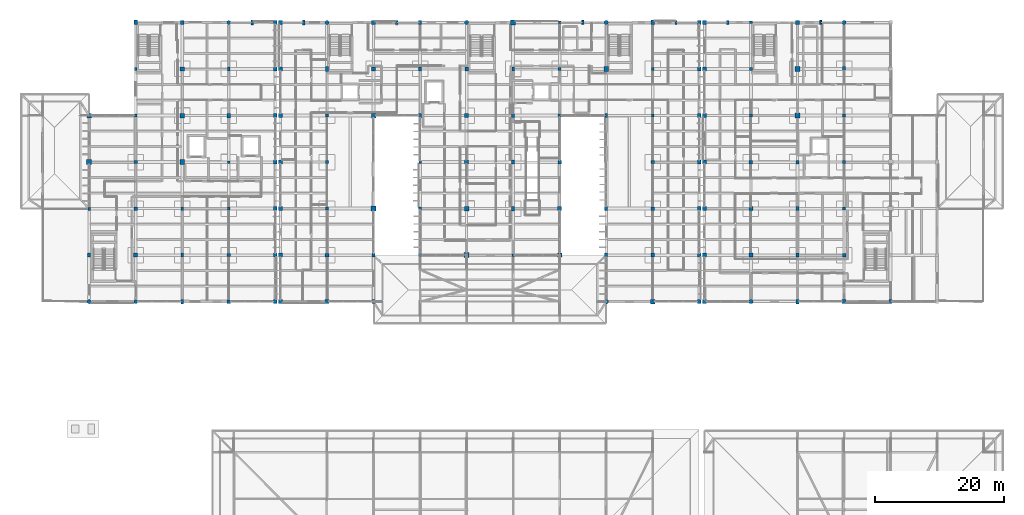
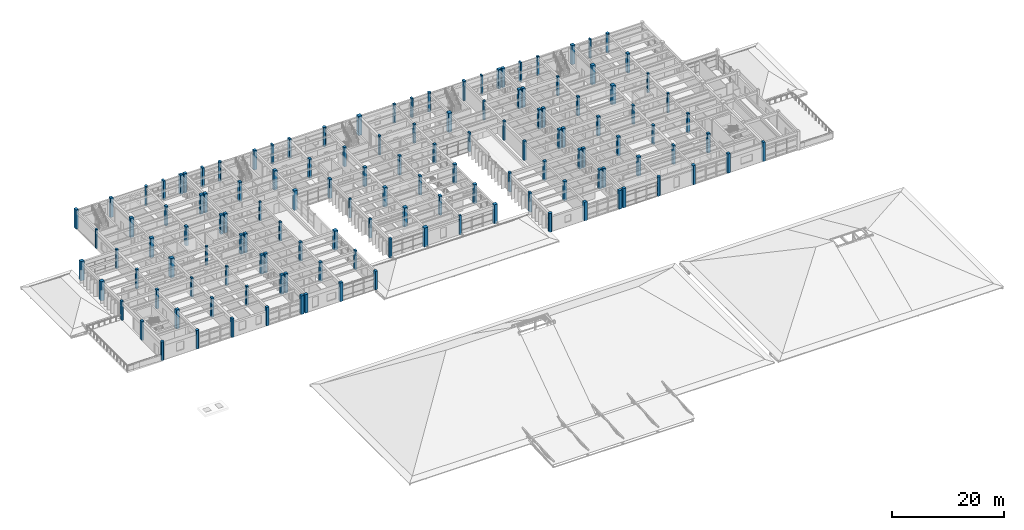
# One storey, part 1 of 100: 133 columns.
"""IFC4 building model written with IfcOpenShell, lengths in metres."""

from ifc_helpers import new_model, si_unit, direction, frame, origin, origin_2d, place, context, subcontext, project, spatial, rectangle, circle, extrude, material, material_profile, profile_set, type_object, element, save


model = new_model("IFC4")

# Units and contexts
model_context = context("Model", 3, precision=1e-05, world=origin(), true_north=direction((0.0, 1.0)))
body_context = subcontext(model_context, "Body", "Model", "MODEL_VIEW")
ifc_project = project(units=[si_unit("LENGTHUNIT", "METRE"), si_unit("AREAUNIT", "SQUARE_METRE"), si_unit("VOLUMEUNIT", "CUBIC_METRE"), si_unit("PLANEANGLEUNIT", "RADIAN"), si_unit("MASSUNIT", "GRAM", prefix="KILO")], contexts=[model_context])

# Site, building, storey
site_placement = place(None, origin())
site = spatial("IfcSite", under=ifc_project, at=site_placement, CompositionType="ELEMENT")
building_placement = place(site_placement, origin())
building = spatial("IfcBuilding", under=site, at=building_placement, Name="Steenspoor Specialist Clinic", CompositionType="ELEMENT")
storey_placement = place(building_placement, frame((0.0, 0.0, 9.0)))
storey = spatial("IfcBuildingStorey", under=building, at=storey_placement, Name="L02", CompositionType="ELEMENT", Elevation=9.0)

# Columns
ifc_material = material(Name="Concrete C40/50", Category="concrete")
ifc_material_profile_1 = material_profile(ifc_material, rectangle(XDim=0.39990234375, YDim=0.39990234375, at=origin_2d()), Name="RC-COL-400X400")
ifc_profile_set_1 = profile_set([ifc_material_profile_1], Name="Concrete C40/50")
column_type_1 = type_object("IfcColumnType", Name="COL-RC-400", PredefinedType="COLUMN", material=ifc_profile_set_1)
for number, where, z_axis, x_axis, name in (
    (1, (59.60009765625, 93.949951171875, 0.0), (0.0, 0.0, 1.0), (1.0, 0.0, 0.0), "Column COL-L02-0224"),
    (2, (74.0, 86.75, 0.0), (0.0, 0.0, 1.0), (1.0, 0.0, 0.0), "Column COL-L02-0284"),
    (3, (88.39990234375, 72.35009765625, 0.0), (0.0, 0.0, 1.0), (1.0, 0.0, 0.0), "Column COL-L02-0347"),
    (4, (95.60009765625, 108.35009765625, 0.0), (0.0, 0.0, 1.0), (1.0, 0.0, 0.0), "Column COL-L02-0413"),
    (5, (110.0, 101.14990234375, 0.0), (0.0, 0.0, 1.0), (1.0, 0.0, 0.0), "Column COL-L02-0469"),
    (6, (30.0, 101.14990234375, 0.0), (0.0, 0.0, 1.0), (1.0, 0.0, 0.0), "Column COL-L02-0556"),
    (7, (44.39990234375, 86.75, 0.0), (0.0, 0.0, 1.0), (1.0, 0.0, 0.0), "Column COL-L02-0602"),
    (8, (125.199951171875, 108.35009765625, 0.0), (0.0, 0.0, 1.0), (1.0, 0.0, 0.0), "Column COL-L02-0708"),
    (9, (139.60009765625, 93.949951171875, 0.0), (0.0, 0.0, 1.0), (1.0, 0.0, 0.0), "Column COL-L02-0766"),
):
    element("IfcColumn", number, at=place(storey_placement, frame(where, z_axis=z_axis, x_axis=x_axis)), inside=storey, type_object=column_type_1, Name=name, PredefinedType="COLUMN", context=body_context, shape_type="SweptSolid", body=[
        extrude(rectangle(XDim=0.39990234375, YDim=0.39990234375, at=origin_2d()), origin(), (0.0, 0.0, 1.0), 4.199951171875),
    ])
ifc_material_profile_2 = material_profile(ifc_material, rectangle(XDim=0.39990234375, YDim=0.550048828125, at=origin_2d()), Name="RC-COL-400X550")
ifc_profile_set_2 = profile_set([ifc_material_profile_2], Name="Concrete C40/50")
column_type_2 = type_object("IfcColumnType", Name="COL-RC-400X550", PredefinedType="COLUMN", material=ifc_profile_set_2)
for number, where, z_axis, x_axis, name in (
    (10, (66.800048828125, 72.35009765625, 0.0), (0.0, 0.0, 1.0), (1.0, 0.0, 0.0), "Column COL-L02-0245"),
    (11, (88.39990234375, 101.14990234375, 0.0), (0.0, 0.0, 1.0), (1.0, 0.0, 0.0), "Column COL-L02-0370"),
    (12, (102.800048828125, 93.949951171875, 0.0), (0.0, 0.0, 1.0), (1.0, 0.0, 0.0), "Column COL-L02-0430"),
    (13, (22.800048828125, 79.550048828125, 0.0), (0.0, 0.0, 1.0), (1.0, 0.0, 0.0), "Column COL-L02-0525"),
    (14, (37.199951171875, 79.550048828125, 0.0), (0.0, 0.0, 1.0), (1.0, 0.0, 0.0), "Column COL-L02-0571"),
    (15, (132.39990234375, 86.75, 0.0), (0.0, 0.0, 1.0), (1.0, 0.0, 0.0), "Column COL-L02-0727"),
):
    element("IfcColumn", number, at=place(storey_placement, frame(where, z_axis=z_axis, x_axis=x_axis)), inside=storey, type_object=column_type_2, Name=name, PredefinedType="COLUMN", context=body_context, shape_type="SweptSolid", body=[
        extrude(rectangle(XDim=0.39990234375, YDim=0.550048828125, at=origin_2d()), origin(), (0.0, 0.0, 1.0), 4.199951171875),
    ])
ifc_material_profile_3 = material_profile(ifc_material, rectangle(XDim=0.449951171875, YDim=0.449951171875, at=origin_2d()), Name="RC-COL-450X450")
ifc_profile_set_3 = profile_set([ifc_material_profile_3], Name="Concrete C40/50")
column_type_3 = type_object("IfcColumnType", Name="COL-RC-450", PredefinedType="COLUMN", material=ifc_profile_set_3)
for number, where, z_axis, x_axis, name in (
    (16, (59.60009765625, 86.75, 0.0), (0.0, 0.0, 1.0), (1.0, 0.0, 0.0), "Column COL-L02-0220"),
    (17, (74.0, 79.550048828125, 0.0), (0.0, 0.0, 1.0), (1.0, 0.0, 0.0), "Column COL-L02-0278"),
    (18, (95.60009765625, 101.14990234375, 0.0), (0.0, 0.0, 1.0), (1.0, 0.0, 0.0), "Column COL-L02-0407"),
    (19, (110.0, 93.949951171875, 0.0), (0.0, 0.0, 1.0), (1.0, 0.0, 0.0), "Column COL-L02-0463"),
    (20, (30.0, 93.949951171875, 0.0), (0.0, 0.0, 1.0), (1.0, 0.0, 0.0), "Column COL-L02-0552"),
    (21, (44.39990234375, 79.550048828125, 0.0), (0.0, 0.0, 1.0), (1.0, 0.0, 0.0), "Column COL-L02-0598"),
    (22, (125.199951171875, 101.14990234375, 0.0), (0.0, 0.0, 1.0), (1.0, 0.0, 0.0), "Column COL-L02-0703"),
    (23, (139.60009765625, 86.75, 0.0), (0.0, 0.0, 1.0), (1.0, 0.0, 0.0), "Column COL-L02-0761"),
):
    element("IfcColumn", number, at=place(storey_placement, frame(where, z_axis=z_axis, x_axis=x_axis)), inside=storey, type_object=column_type_3, Name=name, PredefinedType="COLUMN", context=body_context, shape_type="SweptSolid", body=[
        extrude(rectangle(XDim=0.449951171875, YDim=0.449951171875, at=origin_2d()), origin(), (0.0, 0.0, 1.0), 4.199951171875),
    ])
ifc_material_profile_4 = material_profile(ifc_material, rectangle(XDim=0.449951171875, YDim=0.60009765625, at=origin_2d()), Name="RC-COL-450X600")
ifc_profile_set_4 = profile_set([ifc_material_profile_4], Name="Concrete C40/50")
column_type_4 = type_object("IfcColumnType", Name="COL-RC-450X600", PredefinedType="COLUMN", material=ifc_profile_set_4)
column_1_placement = place(storey_placement, frame((66.800048828125, 65.14990234375, 0.0), z_axis=(0.0, 0.0, 1.0), x_axis=(1.0, 0.0, 0.0)))
element("IfcColumn", 24, at=column_1_placement, inside=storey, type_object=column_type_4, Name="Column COL-L02-0242", PredefinedType="COLUMN", context=body_context, shape_type="SweptSolid", body=[
    extrude(rectangle(XDim=0.449951171875, YDim=0.60009765625, at=origin_2d()), origin(), (0.0, 0.0, 1.0), 4.050048828125),
])
for number, where, z_axis, x_axis, name in (
    (25, (74.0, 108.35009765625, 0.0), (0.0, 0.0, 1.0), (1.0, 0.0, 0.0), "Column COL-L02-0302"),
    (26, (88.39990234375, 93.949951171875, 0.0), (0.0, 0.0, 1.0), (1.0, 0.0, 0.0), "Column COL-L02-0364"),
    (27, (102.800048828125, 79.550048828125, 0.0), (0.0, 0.0, 1.0), (1.0, 0.0, 0.0), "Column COL-L02-0426"),
    (28, (22.800048828125, 72.35009765625, 0.0), (0.0, 0.0, 1.0), (1.0, 0.0, 0.0), "Column COL-L02-0521"),
    (29, (37.199951171875, 72.35009765625, 0.0), (0.0, 0.0, 1.0), (1.0, 0.0, 0.0), "Column COL-L02-0567"),
    (30, (132.39990234375, 79.550048828125, 0.0), (0.0, 0.0, 1.0), (1.0, 0.0, 0.0), "Column COL-L02-0722"),
    (31, (146.800048828125, 65.14990234375, 0.0), (0.0, 0.0, 1.0), (1.0, 0.0, 0.0), "Column COL-L02-0779"),
):
    element("IfcColumn", number, at=place(storey_placement, frame(where, z_axis=z_axis, x_axis=x_axis)), inside=storey, type_object=column_type_4, Name=name, PredefinedType="COLUMN", context=body_context, shape_type="SweptSolid", body=[
        extrude(rectangle(XDim=0.449951171875, YDim=0.60009765625, at=origin_2d()), origin(), (0.0, 0.0, 1.0), 4.199951171875),
    ])
ifc_material_profile_5 = material_profile(ifc_material, rectangle(XDim=0.449951171875, YDim=0.64990234375, at=origin_2d()), Name="RC-COL-450X650")
ifc_profile_set_5 = profile_set([ifc_material_profile_5], Name="Concrete C40/50")
column_type_5 = type_object("IfcColumnType", Name="COL-RC-450X650", PredefinedType="COLUMN", material=ifc_profile_set_5)
for number, where, z_axis, x_axis, name in (
    (32, (74.0, 101.14990234375, 0.0), (0.0, 0.0, 1.0), (1.0, 0.0, 0.0), "Column COL-L02-0296"),
    (33, (88.39990234375, 86.75, 0.0), (0.0, 0.0, 1.0), (1.0, 0.0, 0.0), "Column COL-L02-0358"),
    (34, (102.800048828125, 72.35009765625, 0.0), (0.0, 0.0, 1.0), (1.0, 0.0, 0.0), "Column COL-L02-0422"),
):
    element("IfcColumn", number, at=place(storey_placement, frame(where, z_axis=z_axis, x_axis=x_axis)), inside=storey, type_object=column_type_5, Name=name, PredefinedType="COLUMN", context=body_context, shape_type="SweptSolid", body=[
        extrude(rectangle(XDim=0.449951171875, YDim=0.64990234375, at=origin_2d()), origin(), (0.0, 0.0, 1.0), 4.199951171875),
    ])
column_2_placement = place(storey_placement, frame((37.199951171875, 65.14990234375, 0.0), z_axis=(0.0, 0.0, 1.0), x_axis=(1.0, 0.0, 0.0)))
element("IfcColumn", 35, at=column_2_placement, inside=storey, type_object=column_type_5, Name="Column COL-L02-0564", PredefinedType="COLUMN", context=body_context, shape_type="SweptSolid", body=[
    extrude(rectangle(XDim=0.449951171875, YDim=0.64990234375, at=origin_2d()), origin(), (0.0, 0.0, 1.0), 4.050048828125),
])
for number, where, z_axis, x_axis, name in (
    (36, (44.39990234375, 101.14990234375, 0.0), (0.0, 0.0, 1.0), (1.0, 0.0, 0.0), "Column COL-L02-0610"),
    (37, (132.39990234375, 72.35009765625, 0.0), (0.0, 0.0, 1.0), (1.0, 0.0, 0.0), "Column COL-L02-0717"),
):
    element("IfcColumn", number, at=place(storey_placement, frame(where, z_axis=z_axis, x_axis=x_axis)), inside=storey, type_object=column_type_5, Name=name, PredefinedType="COLUMN", context=body_context, shape_type="SweptSolid", body=[
        extrude(rectangle(XDim=0.449951171875, YDim=0.64990234375, at=origin_2d()), origin(), (0.0, 0.0, 1.0), 4.199951171875),
    ])
ifc_material_profile_6 = material_profile(ifc_material, rectangle(XDim=0.5, YDim=0.5, at=origin_2d()), Name="RC-COL-500X500")
ifc_profile_set_6 = profile_set([ifc_material_profile_6], Name="Concrete C40/50")
column_type_6 = type_object("IfcColumnType", Name="COL-RC-500", PredefinedType="COLUMN", material=ifc_profile_set_6)
for number, where, z_axis, x_axis, name in (
    (38, (59.60009765625, 79.550048828125, 0.0), (0.0, 0.0, 1.0), (1.0, 0.0, 0.0), "Column COL-L02-0216"),
    (39, (74.0, 72.35009765625, 0.0), (0.0, 0.0, 1.0), (1.0, 0.0, 0.0), "Column COL-L02-0273"),
    (40, (95.60009765625, 93.949951171875, 0.0), (0.0, 0.0, 1.0), (1.0, 0.0, 0.0), "Column COL-L02-0401"),
    (41, (110.0, 86.75, 0.0), (0.0, 0.0, 1.0), (1.0, 0.0, 0.0), "Column COL-L02-0459"),
    (42, (30.0, 86.75, 0.0), (0.0, 0.0, 1.0), (1.0, 0.0, 0.0), "Column COL-L02-0548"),
    (43, (44.39990234375, 72.35009765625, 0.0), (0.0, 0.0, 1.0), (1.0, 0.0, 0.0), "Column COL-L02-0594"),
    (44, (125.199951171875, 93.949951171875, 0.0), (0.0, 0.0, 1.0), (1.0, 0.0, 0.0), "Column COL-L02-0698"),
    (45, (139.60009765625, 79.550048828125, 0.0), (0.0, 0.0, 1.0), (1.0, 0.0, 0.0), "Column COL-L02-0756"),
):
    element("IfcColumn", number, at=place(storey_placement, frame(where, z_axis=z_axis, x_axis=x_axis)), inside=storey, type_object=column_type_6, Name=name, PredefinedType="COLUMN", context=body_context, shape_type="SweptSolid", body=[
        extrude(rectangle(XDim=0.5, YDim=0.5, at=origin_2d()), origin(), (0.0, 0.0, 1.0), 4.199951171875),
    ])
ifc_material_profile_7 = material_profile(ifc_material, rectangle(XDim=0.5, YDim=0.699951171875, at=origin_2d()), Name="RC-COL-500X700")
ifc_profile_set_7 = profile_set([ifc_material_profile_7], Name="Concrete C40/50")
column_type_7 = type_object("IfcColumnType", Name="COL-RC-500X700", PredefinedType="COLUMN", material=ifc_profile_set_7)
for number, where, z_axis, x_axis, name in (
    (46, (59.60009765625, 101.14990234375, 0.0), (0.0, 0.0, 1.0), (1.0, 0.0, 0.0), "Column COL-L02-0230"),
    (47, (74.0, 93.949951171875, 0.0), (0.0, 0.0, 1.0), (1.0, 0.0, 0.0), "Column COL-L02-0290"),
    (48, (88.39990234375, 79.550048828125, 0.0), (0.0, 0.0, 1.0), (1.0, 0.0, 0.0), "Column COL-L02-0352"),
    (49, (110.0, 108.35009765625, 0.0), (0.0, 0.0, 1.0), (1.0, 0.0, 0.0), "Column COL-L02-0475"),
    (50, (30.0, 108.35009765625, 0.0), (0.0, 0.0, 1.0), (1.0, 0.0, 0.0), "Column COL-L02-0560"),
    (51, (44.39990234375, 93.949951171875, 0.0), (0.0, 0.0, 1.0), (1.0, 0.0, 0.0), "Column COL-L02-0606"),
    (52, (132.39990234375, 65.14990234375, 0.0), (0.0, 0.0, 1.0), (1.0, 0.0, 0.0), "Column COL-L02-0713"),
    (53, (139.60009765625, 101.14990234375, 0.0), (0.0, 0.0, 1.0), (1.0, 0.0, 0.0), "Column COL-L02-0771"),
):
    element("IfcColumn", number, at=place(storey_placement, frame(where, z_axis=z_axis, x_axis=x_axis)), inside=storey, type_object=column_type_7, Name=name, PredefinedType="COLUMN", context=body_context, shape_type="SweptSolid", body=[
        extrude(rectangle(XDim=0.5, YDim=0.699951171875, at=origin_2d()), origin(), (0.0, 0.0, 1.0), 4.199951171875),
    ])
ifc_material_profile_8 = material_profile(ifc_material, rectangle(XDim=0.550048828125, YDim=0.550048828125, at=origin_2d()), Name="RC-COL-550X550")
ifc_profile_set_8 = profile_set([ifc_material_profile_8], Name="Concrete C40/50")
column_type_8 = type_object("IfcColumnType", Name="COL-RC-550", PredefinedType="COLUMN", material=ifc_profile_set_8)
for number, where, z_axis, x_axis, name in (
    (54, (59.60009765625, 72.35009765625, 0.0), (0.0, 0.0, 1.0), (1.0, 0.0, 0.0), "Column COL-L02-0212"),
    (55, (81.199951171875, 101.14990234375, 0.0), (0.0, 0.0, 1.0), (1.0, 0.0, 0.0), "Column COL-L02-0333"),
    (56, (95.60009765625, 86.75, 0.0), (0.0, 0.0, 1.0), (1.0, 0.0, 0.0), "Column COL-L02-0395"),
    (57, (110.0, 79.550048828125, 0.0), (0.0, 0.0, 1.0), (1.0, 0.0, 0.0), "Column COL-L02-0455"),
    (58, (30.0, 79.550048828125, 0.0), (0.0, 0.0, 1.0), (1.0, 0.0, 0.0), "Column COL-L02-0544"),
):
    element("IfcColumn", number, at=place(storey_placement, frame(where, z_axis=z_axis, x_axis=x_axis)), inside=storey, type_object=column_type_8, Name=name, PredefinedType="COLUMN", context=body_context, shape_type="SweptSolid", body=[
        extrude(rectangle(XDim=0.550048828125, YDim=0.550048828125, at=origin_2d()), origin(), (0.0, 0.0, 1.0), 4.199951171875),
    ])
column_3_placement = place(storey_placement, frame((44.39990234375, 65.14990234375, 0.0), z_axis=(0.0, 0.0, 1.0), x_axis=(1.0, 0.0, 0.0)))
element("IfcColumn", 59, at=column_3_placement, inside=storey, type_object=column_type_8, Name="Column COL-L02-0591", PredefinedType="COLUMN", context=body_context, shape_type="SweptSolid", body=[
    extrude(rectangle(XDim=0.550048828125, YDim=0.550048828125, at=origin_2d()), origin(), (0.0, 0.0, 1.0), 4.050048828125),
])
for number, where, z_axis, x_axis, name in (
    (60, (125.199951171875, 86.75, 0.0), (0.0, 0.0, 1.0), (1.0, 0.0, 0.0), "Column COL-L02-0693"),
    (61, (139.60009765625, 72.35009765625, 0.0), (0.0, 0.0, 1.0), (1.0, 0.0, 0.0), "Column COL-L02-0751"),
):
    element("IfcColumn", number, at=place(storey_placement, frame(where, z_axis=z_axis, x_axis=x_axis)), inside=storey, type_object=column_type_8, Name=name, PredefinedType="COLUMN", context=body_context, shape_type="SweptSolid", body=[
        extrude(rectangle(XDim=0.550048828125, YDim=0.550048828125, at=origin_2d()), origin(), (0.0, 0.0, 1.0), 4.199951171875),
    ])
ifc_material_profile_9 = material_profile(ifc_material, rectangle(XDim=0.60009765625, YDim=0.60009765625, at=origin_2d()), Name="RC-COL-600X600")
ifc_profile_set_9 = profile_set([ifc_material_profile_9], Name="Concrete C40/50")
column_type_9 = type_object("IfcColumnType", Name="COL-RC-600", PredefinedType="COLUMN", material=ifc_profile_set_9)
column_4_placement = place(storey_placement, frame((52.39990234375, 65.14990234375, 0.0), z_axis=(0.0, 0.0, 1.0), x_axis=(1.0, 0.0, 0.0)))
element("IfcColumn", 62, at=column_4_placement, inside=storey, type_object=column_type_9, Name="Column COL-L02-0182", PredefinedType="COLUMN", context=body_context, shape_type="SweptSolid", body=[
    extrude(rectangle(XDim=0.60009765625, YDim=0.60009765625, at=origin_2d()), origin(), (0.0, 0.0, 1.0), 4.050048828125),
])
for number, where, z_axis, x_axis, name in (
    (63, (52.39990234375, 72.35009765625, 0.0), (0.0, 0.0, 1.0), (1.0, 0.0, 0.0), "Column COL-L02-0185"),
    (64, (52.39990234375, 79.550048828125, 0.0), (0.0, 0.0, 1.0), (1.0, 0.0, 0.0), "Column COL-L02-0189"),
    (65, (52.39990234375, 86.75, 0.0), (0.0, 0.0, 1.0), (1.0, 0.0, 0.0), "Column COL-L02-0193"),
    (66, (52.39990234375, 93.949951171875, 0.0), (0.0, 0.0, 1.0), (1.0, 0.0, 0.0), "Column COL-L02-0197"),
    (67, (52.39990234375, 101.14990234375, 0.0), (0.0, 0.0, 1.0), (1.0, 0.0, 0.0), "Column COL-L02-0201"),
    (68, (52.39990234375, 108.35009765625, 0.0), (0.0, 0.0, 1.0), (1.0, 0.0, 0.0), "Column COL-L02-0205"),
):
    element("IfcColumn", number, at=place(storey_placement, frame(where, z_axis=z_axis, x_axis=x_axis)), inside=storey, type_object=column_type_9, Name=name, PredefinedType="COLUMN", context=body_context, shape_type="SweptSolid", body=[
        extrude(rectangle(XDim=0.60009765625, YDim=0.60009765625, at=origin_2d()), origin(), (0.0, 0.0, 1.0), 4.199951171875),
    ])
column_5_placement = place(storey_placement, frame((59.60009765625, 65.14990234375, 0.0), z_axis=(0.0, 0.0, 1.0), x_axis=(1.0, 0.0, 0.0)))
element("IfcColumn", 69, at=column_5_placement, inside=storey, type_object=column_type_9, Name="Column COL-L02-0209", PredefinedType="COLUMN", context=body_context, shape_type="SweptSolid", body=[
    extrude(rectangle(XDim=0.60009765625, YDim=0.60009765625, at=origin_2d()), origin(), (0.0, 0.0, 1.0), 4.050048828125),
])
for number, where, z_axis, x_axis, name in (
    (70, (66.800048828125, 108.35009765625, 0.0), (0.0, 0.0, 1.0), (1.0, 0.0, 0.0), "Column COL-L02-0265"),
    (71, (81.199951171875, 93.949951171875, 0.0), (0.0, 0.0, 1.0), (1.0, 0.0, 0.0), "Column COL-L02-0327"),
    (72, (95.60009765625, 79.550048828125, 0.0), (0.0, 0.0, 1.0), (1.0, 0.0, 0.0), "Column COL-L02-0389"),
    (73, (110.0, 72.35009765625, 0.0), (0.0, 0.0, 1.0), (1.0, 0.0, 0.0), "Column COL-L02-0451"),
):
    element("IfcColumn", number, at=place(storey_placement, frame(where, z_axis=z_axis, x_axis=x_axis)), inside=storey, type_object=column_type_9, Name=name, PredefinedType="COLUMN", context=body_context, shape_type="SweptSolid", body=[
        extrude(rectangle(XDim=0.60009765625, YDim=0.60009765625, at=origin_2d()), origin(), (0.0, 0.0, 1.0), 4.199951171875),
    ])
column_6_placement = place(storey_placement, frame((117.199951171875, 65.14990234375, 0.0), z_axis=(0.0, 0.0, 1.0), x_axis=(1.0, 0.0, 0.0)))
element("IfcColumn", 74, at=column_6_placement, inside=storey, type_object=column_type_9, Name="Column COL-L02-0481", PredefinedType="COLUMN", context=body_context, shape_type="SweptSolid", body=[
    extrude(rectangle(XDim=0.60009765625, YDim=0.60009765625, at=origin_2d()), origin(), (0.0, 0.0, 1.0), 4.050048828125),
])
for number, where, z_axis, x_axis, name in (
    (75, (117.199951171875, 72.35009765625, 0.0), (0.0, 0.0, 1.0), (1.0, 0.0, 0.0), "Column COL-L02-0484"),
    (76, (117.199951171875, 79.550048828125, 0.0), (0.0, 0.0, 1.0), (1.0, 0.0, 0.0), "Column COL-L02-0488"),
    (77, (117.199951171875, 86.75, 0.0), (0.0, 0.0, 1.0), (1.0, 0.0, 0.0), "Column COL-L02-0492"),
    (78, (117.199951171875, 93.949951171875, 0.0), (0.0, 0.0, 1.0), (1.0, 0.0, 0.0), "Column COL-L02-0496"),
    (79, (117.199951171875, 101.14990234375, 0.0), (0.0, 0.0, 1.0), (1.0, 0.0, 0.0), "Column COL-L02-0500"),
    (80, (117.199951171875, 108.35009765625, 0.0), (0.0, 0.0, 1.0), (1.0, 0.0, 0.0), "Column COL-L02-0504"),
    (81, (30.0, 72.35009765625, 0.0), (0.0, 0.0, 1.0), (1.0, 0.0, 0.0), "Column COL-L02-0540"),
    (82, (37.199951171875, 108.35009765625, 0.0), (0.0, 0.0, 1.0), (1.0, 0.0, 0.0), "Column COL-L02-0587"),
):
    element("IfcColumn", number, at=place(storey_placement, frame(where, z_axis=z_axis, x_axis=x_axis)), inside=storey, type_object=column_type_9, Name=name, PredefinedType="COLUMN", context=body_context, shape_type="SweptSolid", body=[
        extrude(rectangle(XDim=0.60009765625, YDim=0.60009765625, at=origin_2d()), origin(), (0.0, 0.0, 1.0), 4.199951171875),
    ])
column_7_placement = place(storey_placement, frame((51.60009765625, 65.14990234375, 0.0), z_axis=(0.0, 0.0, 1.0), x_axis=(1.0, 0.0, 0.0)))
element("IfcColumn", 83, at=column_7_placement, inside=storey, type_object=column_type_9, Name="Column COL-L02-0618", PredefinedType="COLUMN", context=body_context, shape_type="SweptSolid", body=[
    extrude(rectangle(XDim=0.60009765625, YDim=0.60009765625, at=origin_2d()), origin(), (0.0, 0.0, 1.0), 4.050048828125),
])
for number, where, z_axis, x_axis, name in (
    (84, (51.60009765625, 72.35009765625, 0.0), (0.0, 0.0, 1.0), (1.0, 0.0, 0.0), "Column COL-L02-0621"),
    (85, (51.60009765625, 79.550048828125, 0.0), (0.0, 0.0, 1.0), (1.0, 0.0, 0.0), "Column COL-L02-0625"),
    (86, (51.60009765625, 86.75, 0.0), (0.0, 0.0, 1.0), (1.0, 0.0, 0.0), "Column COL-L02-0629"),
    (87, (51.60009765625, 93.949951171875, 0.0), (0.0, 0.0, 1.0), (1.0, 0.0, 0.0), "Column COL-L02-0633"),
    (88, (51.60009765625, 101.14990234375, 0.0), (0.0, 0.0, 1.0), (1.0, 0.0, 0.0), "Column COL-L02-0637"),
    (89, (51.60009765625, 108.35009765625, 0.0), (0.0, 0.0, 1.0), (1.0, 0.0, 0.0), "Column COL-L02-0641"),
    (90, (118.0, 65.14990234375, 0.0), (0.0, 0.0, 1.0), (1.0, 0.0, 0.0), "Column COL-L02-0645"),
    (91, (118.0, 72.35009765625, 0.0), (0.0, 0.0, 1.0), (1.0, 0.0, 0.0), "Column COL-L02-0649"),
    (92, (118.0, 79.550048828125, 0.0), (0.0, 0.0, 1.0), (1.0, 0.0, 0.0), "Column COL-L02-0654"),
    (93, (118.0, 86.75, 0.0), (0.0, 0.0, 1.0), (1.0, 0.0, 0.0), "Column COL-L02-0659"),
    (94, (118.0, 93.949951171875, 0.0), (0.0, 0.0, 1.0), (1.0, 0.0, 0.0), "Column COL-L02-0664"),
    (95, (118.0, 101.14990234375, 0.0), (0.0, 0.0, 1.0), (1.0, 0.0, 0.0), "Column COL-L02-0669"),
    (96, (118.0, 108.35009765625, 0.0), (0.0, 0.0, 1.0), (1.0, 0.0, 0.0), "Column COL-L02-0674"),
    (97, (125.199951171875, 79.550048828125, 0.0), (0.0, 0.0, 1.0), (1.0, 0.0, 0.0), "Column COL-L02-0688"),
    (98, (139.60009765625, 65.14990234375, 0.0), (0.0, 0.0, 1.0), (1.0, 0.0, 0.0), "Column COL-L02-0747"),
):
    element("IfcColumn", number, at=place(storey_placement, frame(where, z_axis=z_axis, x_axis=x_axis)), inside=storey, type_object=column_type_9, Name=name, PredefinedType="COLUMN", context=body_context, shape_type="SweptSolid", body=[
        extrude(rectangle(XDim=0.60009765625, YDim=0.60009765625, at=origin_2d()), origin(), (0.0, 0.0, 1.0), 4.199951171875),
    ])
ifc_material_profile_10 = material_profile(ifc_material, rectangle(XDim=0.64990234375, YDim=0.64990234375, at=origin_2d()), Name="RC-COL-650X650")
ifc_profile_set_10 = profile_set([ifc_material_profile_10], Name="Concrete C40/50")
column_type_10 = type_object("IfcColumnType", Name="COL-RC-650", PredefinedType="COLUMN", material=ifc_profile_set_10)
for number, where, z_axis, x_axis, name in (
    (99, (66.800048828125, 101.14990234375, 0.0), (0.0, 0.0, 1.0), (1.0, 0.0, 0.0), "Column COL-L02-0259"),
    (100, (81.199951171875, 86.75, 0.0), (0.0, 0.0, 1.0), (1.0, 0.0, 0.0), "Column COL-L02-0321"),
    (101, (95.60009765625, 72.35009765625, 0.0), (0.0, 0.0, 1.0), (1.0, 0.0, 0.0), "Column COL-L02-0384"),
):
    element("IfcColumn", number, at=place(storey_placement, frame(where, z_axis=z_axis, x_axis=x_axis)), inside=storey, type_object=column_type_10, Name=name, PredefinedType="COLUMN", context=body_context, shape_type="SweptSolid", body=[
        extrude(rectangle(XDim=0.64990234375, YDim=0.64990234375, at=origin_2d()), origin(), (0.0, 0.0, 1.0), 4.199951171875),
    ])
column_8_placement = place(storey_placement, frame((110.0, 65.14990234375, 0.0), z_axis=(0.0, 0.0, 1.0), x_axis=(1.0, 0.0, 0.0)))
element("IfcColumn", 102, at=column_8_placement, inside=storey, type_object=column_type_10, Name="Column COL-L02-0448", PredefinedType="COLUMN", context=body_context, shape_type="SweptSolid", body=[
    extrude(rectangle(XDim=0.64990234375, YDim=0.64990234375, at=origin_2d()), origin(), (0.0, 0.0, 1.0), 4.050048828125),
])
for number, where, z_axis, x_axis, name in (
    (103, (37.199951171875, 101.14990234375, 0.0), (0.0, 0.0, 1.0), (1.0, 0.0, 0.0), "Column COL-L02-0583"),
    (104, (125.199951171875, 72.35009765625, 0.0), (0.0, 0.0, 1.0), (1.0, 0.0, 0.0), "Column COL-L02-0683"),
    (105, (132.39990234375, 108.35009765625, 0.0), (0.0, 0.0, 1.0), (1.0, 0.0, 0.0), "Column COL-L02-0742"),
):
    element("IfcColumn", number, at=place(storey_placement, frame(where, z_axis=z_axis, x_axis=x_axis)), inside=storey, type_object=column_type_10, Name=name, PredefinedType="COLUMN", context=body_context, shape_type="SweptSolid", body=[
        extrude(rectangle(XDim=0.64990234375, YDim=0.64990234375, at=origin_2d()), origin(), (0.0, 0.0, 1.0), 4.199951171875),
    ])
ifc_material_profile_11 = material_profile(ifc_material, rectangle(XDim=0.699951171875, YDim=0.699951171875, at=origin_2d()), Name="RC-COL-700X700")
ifc_profile_set_11 = profile_set([ifc_material_profile_11], Name="Concrete C40/50")
column_type_11 = type_object("IfcColumnType", Name="COL-RC-700", PredefinedType="COLUMN", material=ifc_profile_set_11)
for number, where, z_axis, x_axis, name in (
    (106, (66.800048828125, 93.949951171875, 0.0), (0.0, 0.0, 1.0), (1.0, 0.0, 0.0), "Column COL-L02-0253"),
    (107, (81.199951171875, 79.550048828125, 0.0), (0.0, 0.0, 1.0), (1.0, 0.0, 0.0), "Column COL-L02-0315"),
    (108, (22.800048828125, 93.949951171875, 0.0), (0.0, 0.0, 1.0), (1.0, 0.0, 0.0), "Column COL-L02-0533"),
    (109, (37.199951171875, 93.949951171875, 0.0), (0.0, 0.0, 1.0), (1.0, 0.0, 0.0), "Column COL-L02-0579"),
    (110, (132.39990234375, 101.14990234375, 0.0), (0.0, 0.0, 1.0), (1.0, 0.0, 0.0), "Column COL-L02-0737"),
):
    element("IfcColumn", number, at=place(storey_placement, frame(where, z_axis=z_axis, x_axis=x_axis)), inside=storey, type_object=column_type_11, Name=name, PredefinedType="COLUMN", context=body_context, shape_type="SweptSolid", body=[
        extrude(rectangle(XDim=0.699951171875, YDim=0.699951171875, at=origin_2d()), origin(), (0.0, 0.0, 1.0), 4.199951171875),
    ])
ifc_material_profile_12 = material_profile(ifc_material, rectangle(XDim=0.75, YDim=0.75, at=origin_2d()), Name="RC-COL-750X750")
ifc_profile_set_12 = profile_set([ifc_material_profile_12], Name="Concrete C40/50")
column_type_12 = type_object("IfcColumnType", Name="COL-RC-750", PredefinedType="COLUMN", material=ifc_profile_set_12)
for number, where, z_axis, x_axis, name in (
    (111, (66.800048828125, 79.550048828125, 0.0), (0.0, 0.0, 1.0), (1.0, 0.0, 0.0), "Column COL-L02-0249"),
    (112, (81.199951171875, 72.35009765625, 0.0), (0.0, 0.0, 1.0), (1.0, 0.0, 0.0), "Column COL-L02-0310"),
    (113, (88.39990234375, 108.35009765625, 0.0), (0.0, 0.0, 1.0), (1.0, 0.0, 0.0), "Column COL-L02-0376"),
    (114, (102.800048828125, 101.14990234375, 0.0), (0.0, 0.0, 1.0), (1.0, 0.0, 0.0), "Column COL-L02-0436"),
    (115, (22.800048828125, 86.75, 0.0), (0.0, 0.0, 1.0), (1.0, 0.0, 0.0), "Column COL-L02-0529"),
    (116, (37.199951171875, 86.75, 0.0), (0.0, 0.0, 1.0), (1.0, 0.0, 0.0), "Column COL-L02-0575"),
    (117, (132.39990234375, 93.949951171875, 0.0), (0.0, 0.0, 1.0), (1.0, 0.0, 0.0), "Column COL-L02-0732"),
):
    element("IfcColumn", number, at=place(storey_placement, frame(where, z_axis=z_axis, x_axis=x_axis)), inside=storey, type_object=column_type_12, Name=name, PredefinedType="COLUMN", context=body_context, shape_type="SweptSolid", body=[
        extrude(rectangle(XDim=0.75, YDim=0.75, at=origin_2d()), origin(), (0.0, 0.0, 1.0), 4.199951171875),
    ])
ifc_material_profile_13 = material_profile(ifc_material, circle(Radius=0.300048828125, at=origin_2d()), Name="RC-COL-D600")
ifc_profile_set_13 = profile_set([ifc_material_profile_13], Name="Concrete C40/50")
column_type_13 = type_object("IfcColumnType", Name="COL-RC-D600", PredefinedType="COLUMN", material=ifc_profile_set_13)
column_9_placement = place(storey_placement, frame((30.0, 65.14990234375, 0.0), z_axis=(0.0, 0.0, 1.0), x_axis=(1.0, 0.0, 0.0)))
element("IfcColumn", 118, at=column_9_placement, inside=storey, type_object=column_type_13, Name="Column COL-L02-0537", PredefinedType="COLUMN", context=body_context, shape_type="SweptSolid", body=[
    extrude(circle(Radius=0.300048828125, at=origin_2d()), origin(), (0.0, 0.0, 1.0), 4.050048828125),
])
column_10_placement = place(storey_placement, frame((44.39990234375, 108.35009765625, 0.0), z_axis=(0.0, 0.0, 1.0), x_axis=(1.0, 0.0, 0.0)))
element("IfcColumn", 119, at=column_10_placement, inside=storey, type_object=column_type_13, Name="Column COL-L02-0614", PredefinedType="COLUMN", context=body_context, shape_type="SweptSolid", body=[
    extrude(circle(Radius=0.300048828125, at=origin_2d()), origin(), (0.0, 0.0, 1.0), 4.199951171875),
])
ifc_material_profile_14 = material_profile(ifc_material, circle(Radius=0.324951171875, at=origin_2d()), Name="RC-COL-D650")
ifc_profile_set_14 = profile_set([ifc_material_profile_14], Name="Concrete C40/50")
column_type_14 = type_object("IfcColumnType", Name="COL-RC-D650", PredefinedType="COLUMN", material=ifc_profile_set_14)
for number, where, z_axis, x_axis, name in (
    (120, (59.60009765625, 108.35009765625, 0.0), (0.0, 0.0, 1.0), (1.0, 0.0, 0.0), "Column COL-L02-0236"),
    (121, (81.199951171875, 108.35009765625, 0.0), (0.0, 0.0, 1.0), (1.0, 0.0, 0.0), "Column COL-L02-0339"),
    (122, (102.800048828125, 108.35009765625, 0.0), (0.0, 0.0, 1.0), (1.0, 0.0, 0.0), "Column COL-L02-0442"),
):
    element("IfcColumn", number, at=place(storey_placement, frame(where, z_axis=z_axis, x_axis=x_axis)), inside=storey, type_object=column_type_14, Name=name, PredefinedType="COLUMN", context=body_context, shape_type="SweptSolid", body=[
        extrude(circle(Radius=0.324951171875, at=origin_2d()), origin(), (0.0, 0.0, 1.0), 4.199951171875),
    ])
column_11_placement = place(storey_placement, frame((22.800048828125, 65.14990234375, 0.0), z_axis=(0.0, 0.0, 1.0), x_axis=(1.0, 0.0, 0.0)))
element("IfcColumn", 123, at=column_11_placement, inside=storey, type_object=column_type_14, Name="Column COL-L02-0518", PredefinedType="COLUMN", context=body_context, shape_type="SweptSolid", body=[
    extrude(circle(Radius=0.324951171875, at=origin_2d()), origin(), (0.0, 0.0, 1.0), 4.050048828125),
])
for number, where, z_axis, x_axis, name in (
    (124, (125.199951171875, 65.14990234375, 0.0), (0.0, 0.0, 1.0), (1.0, 0.0, 0.0), "Column COL-L02-0679"),
    (125, (139.60009765625, 108.35009765625, 0.0), (0.0, 0.0, 1.0), (1.0, 0.0, 0.0), "Column COL-L02-0775"),
):
    element("IfcColumn", number, at=place(storey_placement, frame(where, z_axis=z_axis, x_axis=x_axis)), inside=storey, type_object=column_type_14, Name=name, PredefinedType="COLUMN", context=body_context, shape_type="SweptSolid", body=[
        extrude(circle(Radius=0.324951171875, at=origin_2d()), origin(), (0.0, 0.0, 1.0), 4.199951171875),
    ])
ifc_material_profile_15 = material_profile(ifc_material, circle(Radius=0.35009765625, at=origin_2d()), Name="RC-COL-D700")
ifc_profile_set_15 = profile_set([ifc_material_profile_15], Name="Concrete C40/50")
column_type_15 = type_object("IfcColumnType", Name="COL-RC-D700", PredefinedType="COLUMN", material=ifc_profile_set_15)
column_12_placement = place(storey_placement, frame((102.800048828125, 65.14990234375, 0.0), z_axis=(0.0, 0.0, 1.0), x_axis=(1.0, 0.0, 0.0)))
element("IfcColumn", 126, at=column_12_placement, inside=storey, type_object=column_type_15, Name="Column COL-L02-0419", PredefinedType="COLUMN", context=body_context, shape_type="SweptSolid", body=[
    extrude(circle(Radius=0.35009765625, at=origin_2d()), origin(), (0.0, 0.0, 1.0), 4.050048828125),
])
ifc_material_profile_16 = material_profile(ifc_material, rectangle(XDim=0.280029296875, YDim=0.56005859375, at=origin_2d()), Name="RC-PIL-280X560")
ifc_profile_set_16 = profile_set([ifc_material_profile_16], Name="Concrete C40/50")
column_type_16 = type_object("IfcColumnType", Name="PIL-RC-280X560", PredefinedType="PILASTER", material=ifc_profile_set_16)
column_13_placement = place(storey_placement, frame((113.60009765625, 108.35009765625, 0.0), z_axis=(0.0, 0.0, 1.0), x_axis=(1.0, 0.0, 0.0)))
element("IfcColumn", 127, at=column_13_placement, inside=storey, type_object=column_type_16, Name="Brick Pilaster PIL-L02-031", PredefinedType="PILASTER", context=body_context, shape_type="SweptSolid", body=[
    extrude(rectangle(XDim=0.280029296875, YDim=0.56005859375, at=origin_2d()), origin(), (0.0, 0.0, 1.0), 4.199951171875),
])
ifc_material_profile_17 = material_profile(ifc_material, rectangle(XDim=0.300048828125, YDim=0.6201171875, at=origin_2d()), Name="RC-PIL-300X620")
ifc_profile_set_17 = profile_set([ifc_material_profile_17], Name="Concrete C40/50")
column_type_17 = type_object("IfcColumnType", Name="PIL-RC-300X620", PredefinedType="PILASTER", material=ifc_profile_set_17)
for number, where, z_axis, x_axis, name in (
    (128, (99.199951171875, 108.35009765625, 0.0), (0.0, 0.0, 1.0), (1.0, 0.0, 0.0), "Brick Pilaster PIL-L02-025"),
    (129, (136.0, 108.35009765625, 0.0), (0.0, 0.0, 1.0), (1.0, 0.0, 0.0), "Brick Pilaster PIL-L02-044"),
):
    element("IfcColumn", number, at=place(storey_placement, frame(where, z_axis=z_axis, x_axis=x_axis)), inside=storey, type_object=column_type_17, Name=name, PredefinedType="PILASTER", context=body_context, shape_type="SweptSolid", body=[
        extrude(rectangle(XDim=0.300048828125, YDim=0.6201171875, at=origin_2d()), origin(), (0.0, 0.0, 1.0), 4.199951171875),
    ])
ifc_material_profile_18 = material_profile(ifc_material, rectangle(XDim=0.340087890625, YDim=0.679931640625, at=origin_2d()), Name="RC-PIL-340X680")
ifc_profile_set_18 = profile_set([ifc_material_profile_18], Name="Concrete C40/50")
column_type_18 = type_object("IfcColumnType", Name="PIL-RC-340X680", PredefinedType="PILASTER", material=ifc_profile_set_18)
for number, where, z_axis, x_axis, name in (
    (130, (70.39990234375, 108.35009765625, 0.0), (0.0, 0.0, 1.0), (1.0, 0.0, 0.0), "Brick Pilaster PIL-L02-019"),
    (131, (121.60009765625, 108.35009765625, 0.0), (0.0, 0.0, 1.0), (1.0, 0.0, 0.0), "Brick Pilaster PIL-L02-039"),
):
    element("IfcColumn", number, at=place(storey_placement, frame(where, z_axis=z_axis, x_axis=x_axis)), inside=storey, type_object=column_type_18, Name=name, PredefinedType="PILASTER", context=body_context, shape_type="SweptSolid", body=[
        extrude(rectangle(XDim=0.340087890625, YDim=0.679931640625, at=origin_2d()), origin(), (0.0, 0.0, 1.0), 4.199951171875),
    ])
ifc_material_profile_19 = material_profile(ifc_material, rectangle(XDim=0.3798828125, YDim=0.760009765625, at=origin_2d()), Name="RC-PIL-380X760")
ifc_profile_set_19 = profile_set([ifc_material_profile_19], Name="Concrete C40/50")
column_type_19 = type_object("IfcColumnType", Name="PIL-RC-380X760", PredefinedType="PILASTER", material=ifc_profile_set_19)
for number, where, z_axis, x_axis, name in (
    (132, (56.0, 108.35009765625, 0.0), (0.0, 0.0, 1.0), (1.0, 0.0, 0.0), "Brick Pilaster PIL-L02-015"),
    (133, (48.0, 108.35009765625, 0.0), (0.0, 0.0, 1.0), (1.0, 0.0, 0.0), "Brick Pilaster PIL-L02-035"),
):
    element("IfcColumn", number, at=place(storey_placement, frame(where, z_axis=z_axis, x_axis=x_axis)), inside=storey, type_object=column_type_19, Name=name, PredefinedType="PILASTER", context=body_context, shape_type="SweptSolid", body=[
        extrude(rectangle(XDim=0.3798828125, YDim=0.760009765625, at=origin_2d()), origin(), (0.0, 0.0, 1.0), 4.199951171875),
    ])

save(model, "model.ifc")
